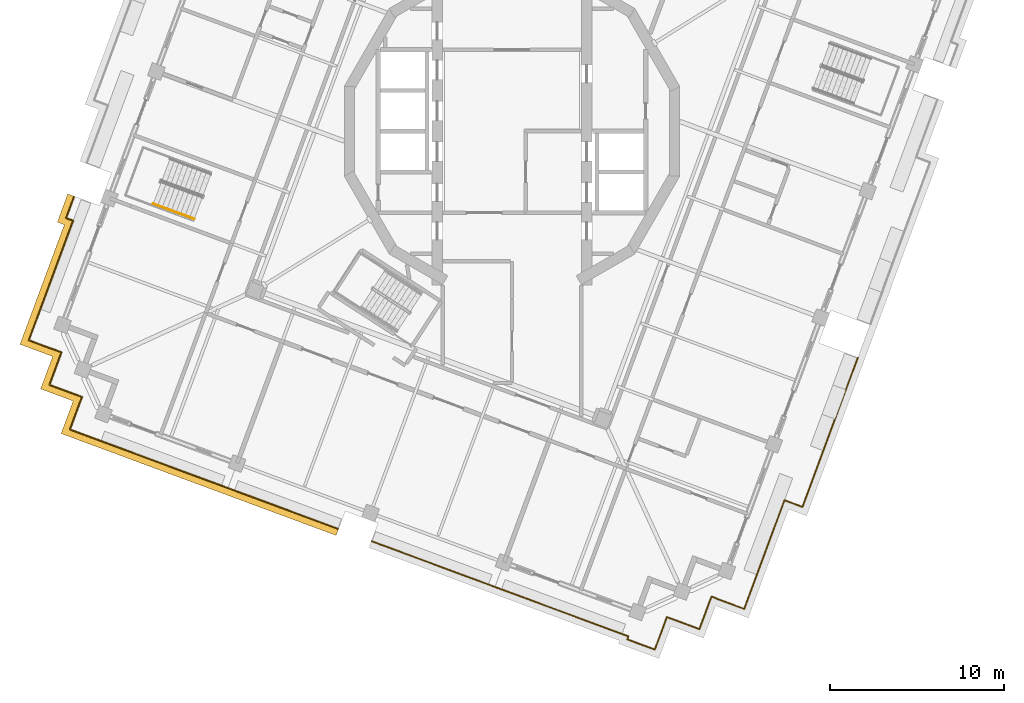
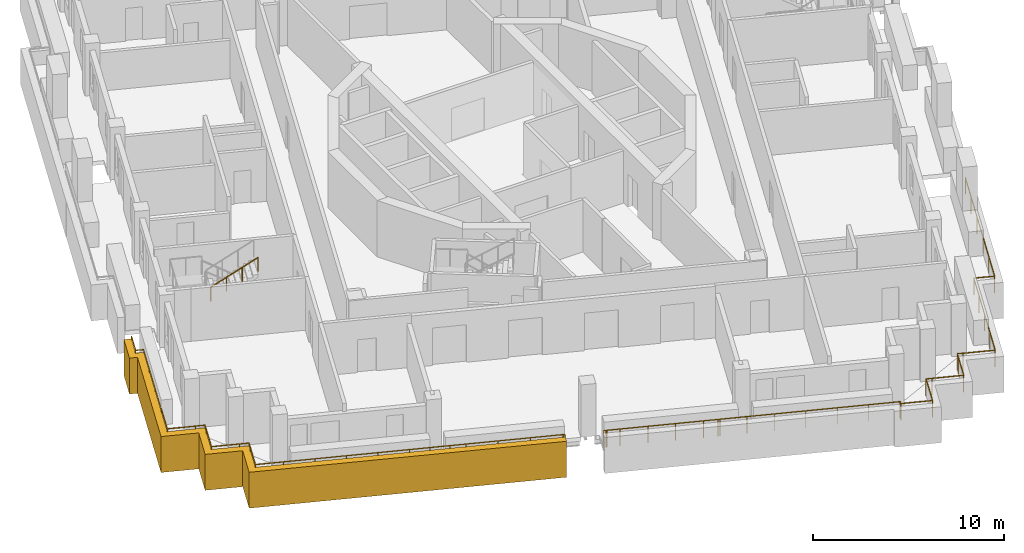
# One storey, part 11 of 18: 4 railings, 1 covering.
"""IFC4 building model written with IfcOpenShell, lengths in metres."""

from ifc_helpers import new_model, si_unit, direction, frame, origin, origin_2d, place, context, subcontext, project, spatial, polyline, circle, outline, extrude, material, type_object, element, save


model = new_model("IFC4")

# Units and contexts
model_context = context("Model", 3, precision=1e-05, world=origin(), true_north=direction((0.0, 1.0)))
body_context = subcontext(model_context, "Body", "Model", "MODEL_VIEW")
ifc_project = project(units=[si_unit("LENGTHUNIT", "METRE"), si_unit("AREAUNIT", "SQUARE_METRE"), si_unit("VOLUMEUNIT", "CUBIC_METRE"), si_unit("PLANEANGLEUNIT", "RADIAN"), si_unit("MASSUNIT", "GRAM", prefix="KILO")], contexts=[model_context])

# Site, building, storey
site_placement = place(None, origin())
site = spatial("IfcSite", under=ifc_project, at=site_placement, CompositionType="ELEMENT")
building_placement = place(site_placement, origin())
building = spatial("IfcBuilding", under=site, at=building_placement, Name="Cantera Rosa Tower", CompositionType="ELEMENT")
storey_placement = place(building_placement, frame((0.0, 0.0, 316.89990234375)))
storey = spatial("IfcBuildingStorey", under=building, at=storey_placement, Name="L70", CompositionType="ELEMENT", Elevation=316.89990234375)

# Railings
ifc_material_1 = material(Name="Stainless steel and laminated glass", Category="steel")
railing_type_1 = type_object("IfcRailingType", Name="GUARD 1100", PredefinedType="BALUSTRADE", material=ifc_material_1)
railing_1_placement = place(storey_placement, frame((-15.7431640625, -20.77392578125, 0.0)))
element("IfcRailing", 1, at=railing_1_placement, inside=storey, type_object=railing_type_1, Name="GUARD L70-1", PredefinedType="BALUSTRADE", context=body_context, shape_type="SweptSolid", body=[
    extrude(circle(Radius=0.030029296875, at=origin_2d()), frame((0.0, 0.0, 1.070068359375), z_axis=(-0.937690020294, 0.347472913823, 0.0), x_axis=(-0.347472913823, -0.937690020294, 0.0)), (0.0, 0.0, 1.0), 2.15625),
    extrude(circle(Radius=0.030029296875, at=origin_2d()), frame((-2.02197265625, 0.749267578125, 1.070068359375), z_axis=(-0.937686328856, 0.347482875373, 0.0), x_axis=(-0.347482875373, -0.937686328856, 0.0)), (0.0, 0.0, 1.0), 6.699951171875),
    extrude(circle(Radius=0.030029296875, at=origin_2d()), frame((-8.304443359375, 3.077392578125, 1.070068359375), z_axis=(-0.93769967459, 0.347446859641, 0.0), x_axis=(-0.347446859641, -0.93769967459, 0.0)), (0.0, 0.0, 1.0), 1.500244140625),
    extrude(circle(Radius=0.030029296875, at=origin_2d()), frame((-9.711181640625, 3.5986328125, 1.070068359375), z_axis=(0.347499887537, 0.937680024402, 0.0), x_axis=(-0.937680024402, 0.347499887537, 0.0)), (0.0, 0.0, 1.0), 1.5),
    extrude(circle(Radius=0.030029296875, at=origin_2d()), frame((-9.18994140625, 5.005126953125, 1.070068359375), z_axis=(0.347696042931, 0.937607306781, 0.0), x_axis=(-0.937607306781, 0.347696042931, 0.0)), (0.0, 0.0, 1.0), 0.5),
    extrude(circle(Radius=0.030029296875, at=origin_2d()), frame((-9.01611328125, 5.473876953125, 1.070068359375), z_axis=(-0.937607306781, 0.347696042931, 0.0), x_axis=(-0.347696042931, -0.937607306781, 0.0)), (0.0, 0.0, 1.0), 0.5),
    extrude(circle(Radius=0.030029296875, at=origin_2d()), frame((-9.48486328125, 5.647705078125, 1.070068359375), z_axis=(-0.93769967459, 0.347446859641, 0.0), x_axis=(-0.347446859641, -0.93769967459, 0.0)), (0.0, 0.0, 1.0), 1.500244140625),
    extrude(circle(Radius=0.030029296875, at=origin_2d()), frame((-10.8916015625, 6.1689453125, 1.070068359375), z_axis=(0.347499887537, 0.937680024402, 0.0), x_axis=(-0.937680024402, 0.347499887537, 0.0)), (0.0, 0.0, 1.0), 1.5),
    extrude(circle(Radius=0.030029296875, at=origin_2d()), frame((-10.370361328125, 7.575439453125, 1.070068359375), z_axis=(0.347696042931, 0.937607306781, 0.0), x_axis=(-0.937607306781, 0.347696042931, 0.0)), (0.0, 0.0, 1.0), 0.5),
    extrude(circle(Radius=0.030029296875, at=origin_2d()), frame((-10.196533203125, 8.044189453125, 1.070068359375), z_axis=(-0.937607306781, 0.347696042931, 0.0), x_axis=(-0.347696042931, -0.937607306781, 0.0)), (0.0, 0.0, 1.0), 0.5),
    extrude(circle(Radius=0.030029296875, at=origin_2d()), frame((-10.665283203125, 8.218017578125, 1.070068359375), z_axis=(-0.378632845721, -0.925546956206, 0.0), x_axis=(0.925546956206, -0.378632845721, 0.0)), (0.0, 0.0, 1.0), 0.005859375),
    extrude(circle(Radius=0.030029296875, at=origin_2d()), frame((-10.66748046875, 8.212646484375, 1.070068359375), z_axis=(-0.937688112969, 0.347478060884, 0.0), x_axis=(-0.347478060884, -0.937688112969, 0.0)), (0.0, 0.0, 1.0), 1.505615234375),
    extrude(circle(Radius=0.030029296875, at=origin_2d()), frame((-12.079345703125, 8.73583984375, 1.070068359375), z_axis=(0.347491761562, 0.93768303581, 0.0), x_axis=(-0.93768303581, 0.347491761562, 0.0)), (0.0, 0.0, 1.0), 7.350341796875),
    extrude(circle(Radius=0.030029296875, at=origin_2d()), frame((-9.525146484375, 15.628173828125, 1.070068359375), z_axis=(-0.937584149048, 0.347758484374, 0.0), x_axis=(-0.347758484374, -0.937584149048, 0.0)), (0.0, 0.0, 1.0), 0.4296875),
    extrude(circle(Radius=0.030029296875, at=origin_2d()), frame((-9.927978515625, 15.777587890625, 1.070068359375), z_axis=(0.347533658579, 0.937667508318, 0.0), x_axis=(-0.937667508318, 0.347533658579, 0.0)), (0.0, 0.0, 1.0), 1.30517578125),
    extrude(circle(Radius=0.02490234375, at=origin_2d()), origin(), (0.0, 0.0, 1.0), 1.0400390625),
    extrude(circle(Radius=0.02490234375, at=origin_2d()), frame((-1.010986328125, 0.37451171875, 0.0)), (0.0, 0.0, 1.0), 1.0400390625),
    extrude(circle(Radius=0.02490234375, at=origin_2d()), frame((-2.02197265625, 0.749267578125, 0.0)), (0.0, 0.0, 1.0), 1.0400390625),
    extrude(circle(Radius=0.02490234375, at=origin_2d()), frame((-3.592529296875, 1.331298828125, 0.0)), (0.0, 0.0, 1.0), 1.0400390625),
    extrude(circle(Radius=0.02490234375, at=origin_2d()), frame((-5.1630859375, 1.913330078125, 0.0)), (0.0, 0.0, 1.0), 1.0400390625),
    extrude(circle(Radius=0.02490234375, at=origin_2d()), frame((-6.73388671875, 2.495361328125, 0.0)), (0.0, 0.0, 1.0), 1.0400390625),
    extrude(circle(Radius=0.02490234375, at=origin_2d()), frame((-8.304443359375, 3.077392578125, 0.0)), (0.0, 0.0, 1.0), 1.0400390625),
    extrude(circle(Radius=0.02490234375, at=origin_2d()), frame((-9.711181640625, 3.5986328125, 0.0)), (0.0, 0.0, 1.0), 1.0400390625),
    extrude(circle(Radius=0.02490234375, at=origin_2d()), frame((-9.18994140625, 5.005126953125, 0.0)), (0.0, 0.0, 1.0), 1.0400390625),
    extrude(circle(Radius=0.02490234375, at=origin_2d()), frame((-9.01611328125, 5.473876953125, 0.0)), (0.0, 0.0, 1.0), 1.0400390625),
    extrude(circle(Radius=0.02490234375, at=origin_2d()), frame((-9.48486328125, 5.647705078125, 0.0)), (0.0, 0.0, 1.0), 1.0400390625),
    extrude(circle(Radius=0.02490234375, at=origin_2d()), frame((-10.8916015625, 6.1689453125, 0.0)), (0.0, 0.0, 1.0), 1.0400390625),
    extrude(circle(Radius=0.02490234375, at=origin_2d()), frame((-10.370361328125, 7.575439453125, 0.0)), (0.0, 0.0, 1.0), 1.0400390625),
    extrude(circle(Radius=0.02490234375, at=origin_2d()), frame((-10.196533203125, 8.044189453125, 0.0)), (0.0, 0.0, 1.0), 1.0400390625),
    extrude(circle(Radius=0.02490234375, at=origin_2d()), frame((-10.665283203125, 8.218017578125, 0.0)), (0.0, 0.0, 1.0), 1.0400390625),
    extrude(circle(Radius=0.02490234375, at=origin_2d()), frame((-10.66748046875, 8.212646484375, 0.0)), (0.0, 0.0, 1.0), 1.0400390625),
    extrude(circle(Radius=0.02490234375, at=origin_2d()), frame((-12.079345703125, 8.73583984375, 0.0)), (0.0, 0.0, 1.0), 1.0400390625),
    extrude(circle(Radius=0.02490234375, at=origin_2d()), frame((-11.44091796875, 10.458984375, 0.0)), (0.0, 0.0, 1.0), 1.0400390625),
    extrude(circle(Radius=0.02490234375, at=origin_2d()), frame((-10.80224609375, 12.18212890625, 0.0)), (0.0, 0.0, 1.0), 1.0400390625),
    extrude(circle(Radius=0.02490234375, at=origin_2d()), frame((-10.16357421875, 13.905029296875, 0.0)), (0.0, 0.0, 1.0), 1.0400390625),
    extrude(circle(Radius=0.02490234375, at=origin_2d()), frame((-9.525146484375, 15.628173828125, 0.0)), (0.0, 0.0, 1.0), 1.0400390625),
    extrude(circle(Radius=0.02490234375, at=origin_2d()), frame((-9.927978515625, 15.777587890625, 0.0)), (0.0, 0.0, 1.0), 1.0400390625),
    extrude(circle(Radius=0.02490234375, at=origin_2d()), frame((-9.474365234375, 17.00146484375, 0.0)), (0.0, 0.0, 1.0), 1.0400390625),
])
railing_2_placement = place(storey_placement, frame((-10.010498046875, -22.8984375, 0.0)))
element("IfcRailing", 2, at=railing_2_placement, inside=storey, type_object=railing_type_1, Name="GUARD L70-2", PredefinedType="BALUSTRADE", context=body_context, shape_type="SweptSolid", body=[
    extrude(circle(Radius=0.030029296875, at=origin_2d()), frame((0.0, 0.0, 1.070068359375), z_axis=(-0.937327749542, 0.348448977525, 0.0), x_axis=(-0.348448977525, -0.937327749542, 0.0)), (0.0, 0.0, 1.0), 0.070068359375),
    extrude(circle(Radius=0.030029296875, at=origin_2d()), frame((-0.065673828125, 0.0244140625, 1.070068359375), z_axis=(-0.937748760724, 0.347314355824, 0.0), x_axis=(-0.347314355824, -0.937748760724, 0.0)), (0.0, 0.0, 1.0), 0.04931640625),
    extrude(circle(Radius=0.030029296875, at=origin_2d()), frame((-0.11181640625, 0.04150390625, 1.070068359375), z_axis=(-0.948683298051, 0.316227766017, 0.0), x_axis=(-0.316227766017, -0.948683298051, 0.0)), (0.0, 0.0, 1.0), 0.000732421875),
    extrude(circle(Radius=0.030029296875, at=origin_2d()), frame((-0.112548828125, 0.041748046875, 1.070068359375), z_axis=(-0.937685842653, 0.347484187394, 0.0), x_axis=(-0.347484187394, -0.937685842653, 0.0)), (0.0, 0.0, 1.0), 5.14990234375),
    extrude(circle(Radius=0.030029296875, at=origin_2d()), frame((-4.941650390625, 1.831298828125, 1.070068359375), z_axis=(-0.937654470615, 0.347568833089, 0.0), x_axis=(-0.347568833089, -0.937654470615, 0.0)), (0.0, 0.0, 1.0), 0.843505859375),
    extrude(circle(Radius=0.02490234375, at=origin_2d()), origin(), (0.0, 0.0, 1.0), 1.0400390625),
    extrude(circle(Radius=0.02490234375, at=origin_2d()), frame((-0.065673828125, 0.0244140625, 0.0)), (0.0, 0.0, 1.0), 1.0400390625),
    extrude(circle(Radius=0.02490234375, at=origin_2d()), frame((-0.11181640625, 0.04150390625, 0.0)), (0.0, 0.0, 1.0), 1.0400390625),
    extrude(circle(Radius=0.02490234375, at=origin_2d()), frame((-0.112548828125, 0.041748046875, 0.0)), (0.0, 0.0, 1.0), 1.0400390625),
    extrude(circle(Radius=0.02490234375, at=origin_2d()), frame((-1.72216796875, 0.63818359375, 0.0)), (0.0, 0.0, 1.0), 1.0400390625),
    extrude(circle(Radius=0.02490234375, at=origin_2d()), frame((-3.33203125, 1.23486328125, 0.0)), (0.0, 0.0, 1.0), 1.0400390625),
    extrude(circle(Radius=0.02490234375, at=origin_2d()), frame((-4.941650390625, 1.831298828125, 0.0)), (0.0, 0.0, 1.0), 1.0400390625),
    extrude(circle(Radius=0.02490234375, at=origin_2d()), frame((-5.732666015625, 2.12451171875, 0.0)), (0.0, 0.0, 1.0), 1.0400390625),
])
railing_3_placement = place(storey_placement, frame((19.911376953125, -13.051513671875, 0.0)))
element("IfcRailing", 3, at=railing_3_placement, inside=storey, type_object=railing_type_1, Name="GUARD L70-7", PredefinedType="BALUSTRADE", context=body_context, shape_type="SweptSolid", body=[
    extrude(circle(Radius=0.030029296875, at=origin_2d()), frame((0.0, 0.0, 1.070068359375), z_axis=(-0.347474136688, -0.937689567145, 0.0), x_axis=(0.937689567145, -0.347474136688, 0.0)), (0.0, 0.0, 1.0), 9.156494140625),
    extrude(circle(Radius=0.030029296875, at=origin_2d()), frame((-3.181640625, -8.5859375, 1.070068359375), z_axis=(-0.937674167555, 0.347515691013, 0.0), x_axis=(-0.347515691013, -0.937674167555, 0.0)), (0.0, 0.0, 1.0), 1.105712890625),
    extrude(circle(Radius=0.030029296875, at=origin_2d()), frame((-4.218505859375, -8.20166015625, 1.070068359375), z_axis=(-0.347504967842, -0.937678141648, 0.0), x_axis=(0.937678141648, -0.347504967842, 0.0)), (0.0, 0.0, 1.0), 6.67431640625),
    extrude(circle(Radius=0.030029296875, at=origin_2d()), frame((-6.537841796875, -14.4599609375, 1.070068359375), z_axis=(-0.93766211216, 0.347548217403, 0.0), x_axis=(-0.347548217403, -0.93766211216, 0.0)), (0.0, 0.0, 1.0), 1.699951171875),
    extrude(circle(Radius=0.030029296875, at=origin_2d()), frame((-8.1318359375, -13.869140625, 1.070068359375), z_axis=(0.355217760624, 0.934783580588, 0.0), x_axis=(-0.934783580588, 0.355217760624, 0.0)), (0.0, 0.0, 1.0), 0.012939453125),
    extrude(circle(Radius=0.030029296875, at=origin_2d()), frame((-8.127197265625, -13.85693359375, 1.070068359375), z_axis=(-0.937635888853, 0.347618957962, 0.0), x_axis=(-0.347618957962, -0.937635888853, 0.0)), (0.0, 0.0, 1.0), 0.313232421875),
    extrude(circle(Radius=0.030029296875, at=origin_2d()), frame((-8.4208984375, -13.748046875, 1.070068359375), z_axis=(-0.346933448503, -0.937889749549, 0.0), x_axis=(0.937889749549, -0.346933448503, 0.0)), (0.0, 0.0, 1.0), 0.313232421875),
    extrude(circle(Radius=0.030029296875, at=origin_2d()), frame((-8.529541015625, -14.041748046875, 1.070068359375), z_axis=(-0.347488755066, -0.937684149969, 0.0), x_axis=(0.937684149969, -0.347488755066, 0.0)), (0.0, 0.0, 1.0), 1.68701171875),
    extrude(circle(Radius=0.030029296875, at=origin_2d()), frame((-9.11572265625, -15.62353515625, 1.070068359375), z_axis=(-0.937684149969, 0.347488755066, 0.0), x_axis=(-0.347488755066, -0.937684149969, 0.0)), (0.0, 0.0, 1.0), 1.68701171875),
    extrude(circle(Radius=0.030029296875, at=origin_2d()), frame((-10.697509765625, -15.037353515625, 1.070068359375), z_axis=(-0.937635888853, 0.347618957962, 0.0), x_axis=(-0.347618957962, -0.937635888853, 0.0)), (0.0, 0.0, 1.0), 0.313232421875),
    extrude(circle(Radius=0.030029296875, at=origin_2d()), frame((-10.9912109375, -14.928466796875, 1.070068359375), z_axis=(-0.347401818267, -0.937716362588, 0.0), x_axis=(0.937716362588, -0.347401818267, 0.0)), (0.0, 0.0, 1.0), 2.0),
    extrude(circle(Radius=0.030029296875, at=origin_2d()), frame((-11.68603515625, -16.803955078125, 1.070068359375), z_axis=(-0.937684149969, 0.347488755066, 0.0), x_axis=(-0.347488755066, -0.937684149969, 0.0)), (0.0, 0.0, 1.0), 1.68701171875),
    extrude(circle(Radius=0.030029296875, at=origin_2d()), frame((-13.267822265625, -16.2177734375, 1.070068359375), z_axis=(0.347399426404, 0.937717248713, 0.0), x_axis=(-0.937717248713, 0.347399426404, 0.0)), (0.0, 0.0, 1.0), 0.18701171875),
    extrude(circle(Radius=0.030029296875, at=origin_2d()), frame((-13.202880859375, -16.04248046875, 1.070068359375), z_axis=(-0.937686328856, 0.347482875373, 0.0), x_axis=(-0.347482875373, -0.937686328856, 0.0)), (0.0, 0.0, 1.0), 6.699951171875),
    extrude(circle(Radius=0.030029296875, at=origin_2d()), frame((-19.4853515625, -13.71435546875, 1.070068359375), z_axis=(-0.937677346307, 0.347507113916, 0.0), x_axis=(-0.347507113916, -0.937677346307, 0.0)), (0.0, 0.0, 1.0), 2.887451171875),
    extrude(circle(Radius=0.030029296875, at=origin_2d()), frame((-22.19287109375, -12.7109375, 1.070068359375), z_axis=(-0.938009810669, 0.346608706021, 0.0), x_axis=(-0.346608706021, -0.938009810669, 0.0)), (0.0, 0.0, 1.0), 0.11279296875),
    extrude(circle(Radius=0.030029296875, at=origin_2d()), frame((-22.298583984375, -12.671875, 1.070068359375), z_axis=(-0.937644952317, 0.347594510016, 0.0), x_axis=(-0.347594510016, -0.937644952317, 0.0)), (0.0, 0.0, 1.0), 0.766357421875),
    extrude(circle(Radius=0.030029296875, at=origin_2d()), frame((-23.01708984375, -12.405517578125, 1.070068359375), z_axis=(-0.937695611382, 0.347457825346, 0.0), x_axis=(-0.347457825346, -0.937695611382, 0.0)), (0.0, 0.0, 1.0), 4.43359375),
    extrude(circle(Radius=0.030029296875, at=origin_2d()), frame((-27.174560546875, -10.864990234375, 1.070068359375), z_axis=(-0.937627938157, 0.347640402697, 0.0), x_axis=(-0.347640402697, -0.937627938157, 0.0)), (0.0, 0.0, 1.0), 0.707275390625),
    extrude(circle(Radius=0.030029296875, at=origin_2d()), frame((-27.837646484375, -10.619140625, 1.070068359375), z_axis=(-0.93912285212, 0.343581531264, 0.0), x_axis=(-0.343581531264, -0.93912285212, 0.0)), (0.0, 0.0, 1.0), 0.042724609375),
    extrude(circle(Radius=0.030029296875, at=origin_2d()), frame((-27.877685546875, -10.6044921875, 1.070068359375), z_axis=(-0.937576914778, 0.347777987911, 0.0), x_axis=(-0.347777987911, -0.937576914778, 0.0)), (0.0, 0.0, 1.0), 0.1201171875),
    extrude(circle(Radius=0.02490234375, at=origin_2d()), origin(), (0.0, 0.0, 1.0), 1.0400390625),
    extrude(circle(Radius=0.02490234375, at=origin_2d()), frame((-0.63623046875, -1.71728515625, 0.0)), (0.0, 0.0, 1.0), 1.0400390625),
    extrude(circle(Radius=0.02490234375, at=origin_2d()), frame((-1.272705078125, -3.434326171875, 0.0)), (0.0, 0.0, 1.0), 1.0400390625),
    extrude(circle(Radius=0.02490234375, at=origin_2d()), frame((-1.908935546875, -5.151611328125, 0.0)), (0.0, 0.0, 1.0), 1.0400390625),
    extrude(circle(Radius=0.02490234375, at=origin_2d()), frame((-2.54541015625, -6.86865234375, 0.0)), (0.0, 0.0, 1.0), 1.0400390625),
    extrude(circle(Radius=0.02490234375, at=origin_2d()), frame((-3.181640625, -8.5859375, 0.0)), (0.0, 0.0, 1.0), 1.0400390625),
    extrude(circle(Radius=0.02490234375, at=origin_2d()), frame((-4.218505859375, -8.20166015625, 0.0)), (0.0, 0.0, 1.0), 1.0400390625),
    extrude(circle(Radius=0.02490234375, at=origin_2d()), frame((-4.79833984375, -9.76611328125, 0.0)), (0.0, 0.0, 1.0), 1.0400390625),
    extrude(circle(Radius=0.02490234375, at=origin_2d()), frame((-5.378173828125, -11.330810546875, 0.0)), (0.0, 0.0, 1.0), 1.0400390625),
    extrude(circle(Radius=0.02490234375, at=origin_2d()), frame((-5.9580078125, -12.8955078125, 0.0)), (0.0, 0.0, 1.0), 1.0400390625),
    extrude(circle(Radius=0.02490234375, at=origin_2d()), frame((-6.537841796875, -14.4599609375, 0.0)), (0.0, 0.0, 1.0), 1.0400390625),
    extrude(circle(Radius=0.02490234375, at=origin_2d()), frame((-8.1318359375, -13.869140625, 0.0)), (0.0, 0.0, 1.0), 1.0400390625),
    extrude(circle(Radius=0.02490234375, at=origin_2d()), frame((-8.127197265625, -13.85693359375, 0.0)), (0.0, 0.0, 1.0), 1.0400390625),
    extrude(circle(Radius=0.02490234375, at=origin_2d()), frame((-8.4208984375, -13.748046875, 0.0)), (0.0, 0.0, 1.0), 1.0400390625),
    extrude(circle(Radius=0.02490234375, at=origin_2d()), frame((-8.529541015625, -14.041748046875, 0.0)), (0.0, 0.0, 1.0), 1.0400390625),
    extrude(circle(Radius=0.02490234375, at=origin_2d()), frame((-9.11572265625, -15.62353515625, 0.0)), (0.0, 0.0, 1.0), 1.0400390625),
    extrude(circle(Radius=0.02490234375, at=origin_2d()), frame((-10.697509765625, -15.037353515625, 0.0)), (0.0, 0.0, 1.0), 1.0400390625),
    extrude(circle(Radius=0.02490234375, at=origin_2d()), frame((-10.9912109375, -14.928466796875, 0.0)), (0.0, 0.0, 1.0), 1.0400390625),
    extrude(circle(Radius=0.02490234375, at=origin_2d()), frame((-11.68603515625, -16.803955078125, 0.0)), (0.0, 0.0, 1.0), 1.0400390625),
    extrude(circle(Radius=0.02490234375, at=origin_2d()), frame((-13.267822265625, -16.2177734375, 0.0)), (0.0, 0.0, 1.0), 1.0400390625),
    extrude(circle(Radius=0.02490234375, at=origin_2d()), frame((-13.202880859375, -16.04248046875, 0.0)), (0.0, 0.0, 1.0), 1.0400390625),
    extrude(circle(Radius=0.02490234375, at=origin_2d()), frame((-14.7734375, -15.46044921875, 0.0)), (0.0, 0.0, 1.0), 1.0400390625),
    extrude(circle(Radius=0.02490234375, at=origin_2d()), frame((-16.34423828125, -14.87841796875, 0.0)), (0.0, 0.0, 1.0), 1.0400390625),
    extrude(circle(Radius=0.02490234375, at=origin_2d()), frame((-17.914794921875, -14.29638671875, 0.0)), (0.0, 0.0, 1.0), 1.0400390625),
    extrude(circle(Radius=0.02490234375, at=origin_2d()), frame((-19.4853515625, -13.71435546875, 0.0)), (0.0, 0.0, 1.0), 1.0400390625),
    extrude(circle(Radius=0.02490234375, at=origin_2d()), frame((-20.839111328125, -13.212646484375, 0.0)), (0.0, 0.0, 1.0), 1.0400390625),
    extrude(circle(Radius=0.02490234375, at=origin_2d()), frame((-22.19287109375, -12.7109375, 0.0)), (0.0, 0.0, 1.0), 1.0400390625),
    extrude(circle(Radius=0.02490234375, at=origin_2d()), frame((-22.298583984375, -12.671875, 0.0)), (0.0, 0.0, 1.0), 1.0400390625),
    extrude(circle(Radius=0.02490234375, at=origin_2d()), frame((-23.01708984375, -12.405517578125, 0.0)), (0.0, 0.0, 1.0), 1.0400390625),
    extrude(circle(Radius=0.02490234375, at=origin_2d()), frame((-24.40283203125, -11.89208984375, 0.0)), (0.0, 0.0, 1.0), 1.0400390625),
    extrude(circle(Radius=0.02490234375, at=origin_2d()), frame((-25.788818359375, -11.37841796875, 0.0)), (0.0, 0.0, 1.0), 1.0400390625),
    extrude(circle(Radius=0.02490234375, at=origin_2d()), frame((-27.174560546875, -10.864990234375, 0.0)), (0.0, 0.0, 1.0), 1.0400390625),
    extrude(circle(Radius=0.02490234375, at=origin_2d()), frame((-27.837646484375, -10.619140625, 0.0)), (0.0, 0.0, 1.0), 1.0400390625),
    extrude(circle(Radius=0.02490234375, at=origin_2d()), frame((-27.877685546875, -10.6044921875, 0.0)), (0.0, 0.0, 1.0), 1.0400390625),
    extrude(circle(Radius=0.02490234375, at=origin_2d()), frame((-27.990234375, -10.562744140625, 0.0)), (0.0, 0.0, 1.0), 1.0400390625),
])
ifc_material_2 = material(Name="Steel S355J2 (EN 10025-2)", Category="steel")
railing_type_2 = type_object("IfcRailingType", Name="STAIR HANDRAIL 900", PredefinedType="HANDRAIL", material=ifc_material_2)
railing_4_placement = place(storey_placement, frame((-20.660400390625, -4.181396484375, 1.97998046875)))
element("IfcRailing", 4, at=railing_4_placement, inside=storey, type_object=railing_type_2, Name="L70 ST-63 stair handrail 2", PredefinedType="HANDRAIL", context=body_context, shape_type="SweptSolid", body=[
    extrude(circle(Radius=0.02392578125, at=origin_2d()), frame((0.0, 0.0, 0.8759765625), z_axis=(0.788747577403, -0.292306804437, 0.540771662738), x_axis=(0.347500508527, 0.937679794265, 0.0)), (0.0, 0.0, 1.0), 2.995849609375),
    extrude(circle(Radius=0.02099609375, at=origin_2d()), origin(), (0.0, 0.0, 1.0), 0.851806640625),
    extrude(circle(Radius=0.02099609375, at=origin_2d()), frame((0.78759765625, -0.2919921875, 0.5400390625)), (0.0, 0.0, 1.0), 0.851806640625),
    extrude(circle(Radius=0.02099609375, at=origin_2d()), frame((1.575439453125, -0.583740234375, 1.080078125)), (0.0, 0.0, 1.0), 0.851806640625),
    extrude(circle(Radius=0.02099609375, at=origin_2d()), frame((2.363037109375, -0.875732421875, 1.6201171875)), (0.0, 0.0, 1.0), 0.851806640625),
])

# Covering
ifc_material_3 = material(Name="Cantera stone", Category="masonry")
covering_type = type_object("IfcCoveringType", Name="TRAY FASCIA 400", PredefinedType="CLADDING", material=ifc_material_3)
covering_placement = place(storey_placement, frame((0.0, 0.0, -1.39990234375)))
element("IfcCovering", 5, at=covering_placement, inside=storey, type_object=covering_type, Name="TRAY FASCIA L70-01", PredefinedType="CLADDING", context=body_context, shape_type="SweptSolid", body=[
    extrude(outline(polyline([(-25.782470703125, -5.3818359375), (-26.185302734375, -5.232421875), (-25.585693359375, -3.61474609375), (-25.210693359375, -3.753662109375), (-25.671142578125, -4.996337890625), (-25.268310546875, -5.145751953125), (-27.822509765625, -12.0380859375), (-26.41064453125, -12.561279296875), (-26.408447265625, -12.555908203125), (-25.939697265625, -12.729736328125), (-26.113525390625, -13.198486328125), (-26.634765625, -14.60498046875), (-25.22802734375, -15.126220703125), (-24.75927734375, -15.300048828125), (-24.93310546875, -15.768798828125), (-25.454345703125, -17.17529296875), (-24.047607421875, -17.696533203125), (-17.76513671875, -20.024658203125), (-14.9521484375, -21.067138671875), (-10.076171875, -22.8740234375), (-9.99169921875, -22.9052734375), (-10.130859375, -23.280517578125), (-10.215087890625, -23.2490234375), (-15.091064453125, -21.442138671875), (-17.904296875, -20.39990234375), (-24.186767578125, -18.07177734375), (-25.96826171875, -17.411376953125), (-25.30810546875, -15.6298828125), (-25.2734375, -15.5361328125), (-25.3671875, -15.501220703125), (-27.148681640625, -14.841064453125), (-26.488525390625, -13.0595703125), (-26.455810546875, -12.97119140625), (-28.33642578125, -12.274169921875), (-25.782470703125, -5.3818359375)])), origin(), (0.0, 0.0, 1.0), 2.300048828125),
])

save(model, "model.ifc")
